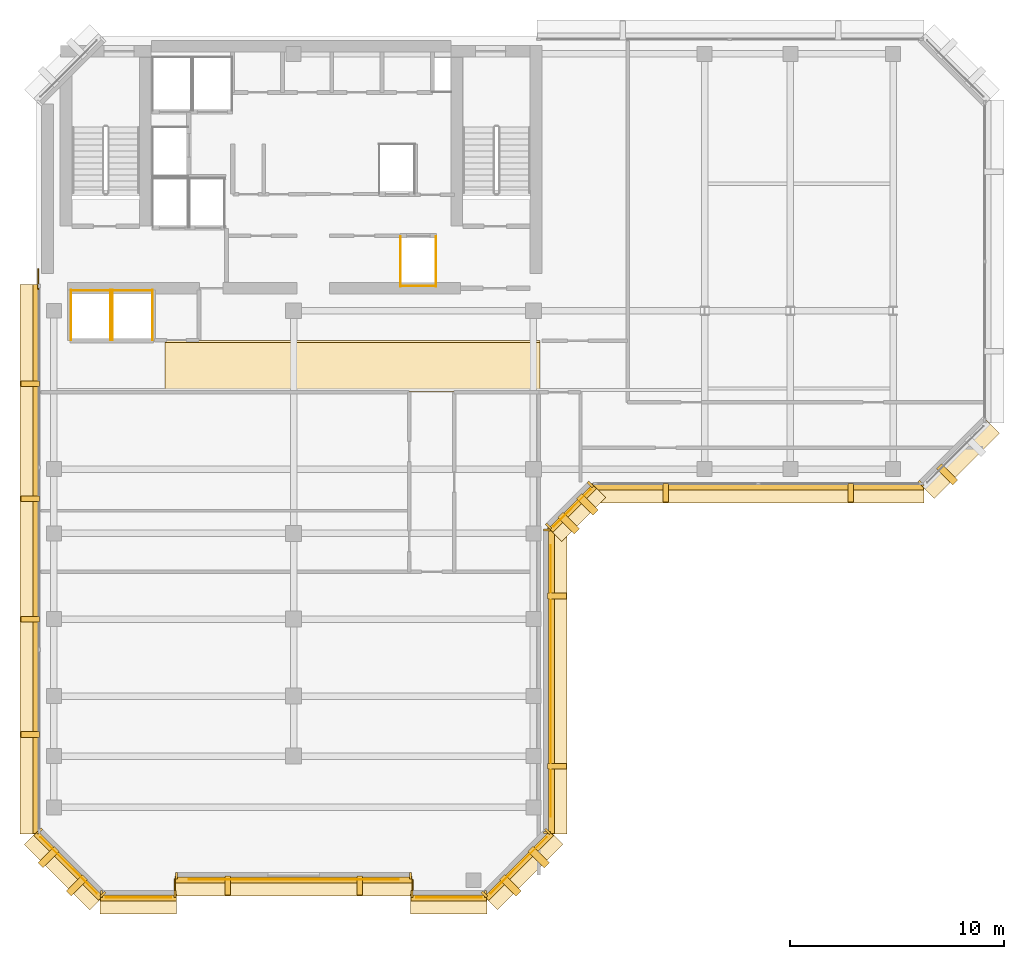
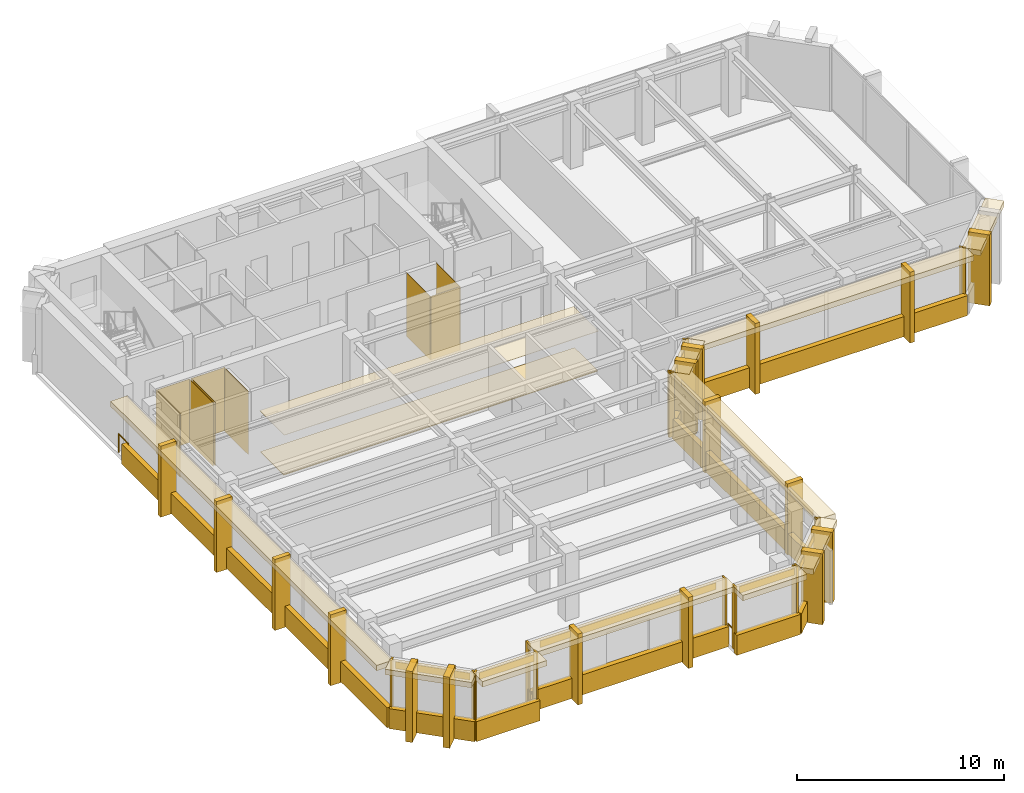
# One storey, part 9 of 12: 69 coverings, 3 railings.
"""IFC4 building model written with IfcOpenShell, lengths in metres."""

from ifc_helpers import new_model, si_unit, direction, frame, origin, origin_2d, place, context, subcontext, project, spatial, polyline, rectangle, circle, outline, extrude, material, layer, layer_set, type_object, element, save


model = new_model("IFC4")

# Units and contexts
model_context = context("Model", 3, precision=1e-05, world=origin(), true_north=direction((0.0, 1.0)))
body_context = subcontext(model_context, "Body", "Model", "MODEL_VIEW")
ifc_project = project(units=[si_unit("LENGTHUNIT", "METRE"), si_unit("AREAUNIT", "SQUARE_METRE"), si_unit("VOLUMEUNIT", "CUBIC_METRE"), si_unit("PLANEANGLEUNIT", "RADIAN"), si_unit("MASSUNIT", "GRAM", prefix="KILO")], contexts=[model_context])

# Site, building, storey
site_placement = place(None, origin())
site = spatial("IfcSite", under=ifc_project, at=site_placement, CompositionType="ELEMENT")
building_placement = place(site_placement, origin())
building = spatial("IfcBuilding", under=site, at=building_placement, Name="Kefirva Bronze Tower", CompositionType="ELEMENT")
storey_placement = place(building_placement, frame((0.0, 0.0, 327.68994140625)))
storey = spatial("IfcBuildingStorey", under=building, at=storey_placement, Name="L80", CompositionType="ELEMENT", Elevation=327.68994140625)

# Coverings
ifc_material_1 = material(Name="Acoustic mineral tile")
ifc_layer_1 = layer(ifc_material_1, 0.02490234375, Name="Acoustic mineral tile")
ifc_layer_set_1 = layer_set([ifc_layer_1], Name="Acoustic mineral tile")
covering_type_1 = type_object("IfcCoveringType", Name="Acoustic Mineral Suspended Ceiling 25mm", PredefinedType="CEILING", material=ifc_layer_set_1)
covering_1_placement = place(storey_placement, frame((0.0, 0.0, 2.400146484375)))
element("IfcCovering", 1, at=covering_1_placement, inside=storey, type_object=covering_type_1, Name="L80 Corridor Acoustic Ceiling", PredefinedType="CEILING", context=body_context, shape_type="SweptSolid", body=[
    extrude(outline(polyline([(6.0, 29.39990234375), (23.5, 29.39990234375), (23.5, 31.800048828125), (6.0, 31.800048828125), (6.0, 29.39990234375)])), origin(), (0.0, 0.0, 1.0), 0.02490234375),
])
ifc_material_2 = material(Name="Bronze anodised aluminium", Category="aluminium")
ifc_layer_2 = layer(ifc_material_2, 0.02001953125, Name="Bronze anodised aluminium")
ifc_layer_set_2 = layer_set([ifc_layer_2], Name="Bronze anodised aluminium")
covering_type_2 = type_object("IfcCoveringType", Name="Anodised Bronze Spandrel Cladding 20mm", PredefinedType="CLADDING", material=ifc_layer_set_2)
covering_2_placement = place(storey_placement, frame((4.75, 5.7900390625, 3.320068359375), z_axis=(0.0, 0.0, 1.0), x_axis=(1.0, 0.0, 0.0)))
element("IfcCovering", 2, at=covering_2_placement, inside=storey, type_object=covering_type_2, Name="L80 Bronze Spandrel Cladding 1", PredefinedType="CLADDING", context=body_context, shape_type="SweptSolid", body=[
    extrude(rectangle(XDim=3.051025390625, YDim=0.02001953125, at=origin_2d()), origin(), (0.0, 0.0, 1.0), 0.39990234375),
])
for number, where, z_axis, x_axis, name in (
    (3, (3.034912109375, 5.9599609375, 0.0), (0.0, 0.0, 1.0), (1.0, 0.0, 0.0), "L80 Facade Joint Closure Panel 1S"),
    (4, (6.465087890625, 5.9599609375, 0.0), (0.0, 0.0, 1.0), (1.0, 0.0, 0.0), "L80 Facade Joint Closure Panel 1E"),
):
    element("IfcCovering", number, at=place(storey_placement, frame(where, z_axis=z_axis, x_axis=x_axis)), inside=storey, type_object=covering_type_2, Name=name, PredefinedType="CLADDING", context=body_context, shape_type="SweptSolid", body=[
        extrude(rectangle(XDim=0.10009765625, YDim=0.320068359375, at=origin_2d()), origin(), (0.0, 0.0, 1.0), 3.739990234375),
    ])
covering_3_placement = place(storey_placement, frame((4.75, 5.760009765625, -0.15966796875), z_axis=(0.0, 0.0, 1.0), x_axis=(1.0, 0.0, 0.0)))
element("IfcCovering", 5, at=covering_3_placement, inside=storey, type_object=covering_type_2, Name="L80 Streamline Horizontal Spandrel Band 0", PredefinedType="CLADDING", context=body_context, shape_type="SweptSolid", body=[
    extrude(rectangle(XDim=3.5400390625, YDim=0.280029296875, at=origin_2d()), origin(), (0.0, 0.0, 1.0), 1.179931640625),
])
covering_4_placement = place(storey_placement, frame((12.0, 6.639892578125, 3.320068359375), z_axis=(0.0, 0.0, 1.0), x_axis=(1.0, 0.0, 0.0)))
element("IfcCovering", 6, at=covering_4_placement, inside=storey, type_object=covering_type_2, Name="L80 Bronze Spandrel Cladding 2", PredefinedType="CLADDING", context=body_context, shape_type="SweptSolid", body=[
    extrude(rectangle(XDim=9.801025390625, YDim=0.02001953125, at=origin_2d()), origin(), (0.0, 0.0, 1.0), 0.39990234375),
])
for number, where, z_axis, x_axis, name in (
    (7, (6.534912109375, 6.81005859375, 0.0), (0.0, 0.0, 1.0), (1.0, 0.0, 0.0), "L80 Facade Joint Closure Panel 2S"),
    (8, (17.465087890625, 6.81005859375, 0.0), (0.0, 0.0, 1.0), (1.0, 0.0, 0.0), "L80 Facade Joint Closure Panel 2E"),
):
    element("IfcCovering", number, at=place(storey_placement, frame(where, z_axis=z_axis, x_axis=x_axis)), inside=storey, type_object=covering_type_2, Name=name, PredefinedType="CLADDING", context=body_context, shape_type="SweptSolid", body=[
        extrude(rectangle(XDim=0.10009765625, YDim=0.320068359375, at=origin_2d()), origin(), (0.0, 0.0, 1.0), 3.739990234375),
    ])
covering_5_placement = place(storey_placement, frame((12.0, 6.610107421875, -0.15966796875), z_axis=(0.0, 0.0, 1.0), x_axis=(1.0, 0.0, 0.0)))
element("IfcCovering", 9, at=covering_5_placement, inside=storey, type_object=covering_type_2, Name="L80 Streamline Horizontal Spandrel Band 2", PredefinedType="CLADDING", context=body_context, shape_type="SweptSolid", body=[
    extrude(rectangle(XDim=11.0400390625, YDim=0.280029296875, at=origin_2d()), origin(), (0.0, 0.0, 1.0), 1.179931640625),
])
covering_6_placement = place(storey_placement, frame((19.25, 5.7900390625, 3.320068359375), z_axis=(0.0, 0.0, 1.0), x_axis=(1.0, 0.0, 0.0)))
element("IfcCovering", 10, at=covering_6_placement, inside=storey, type_object=covering_type_2, Name="L80 Bronze Spandrel Cladding 3", PredefinedType="CLADDING", context=body_context, shape_type="SweptSolid", body=[
    extrude(rectangle(XDim=3.051025390625, YDim=0.02001953125, at=origin_2d()), origin(), (0.0, 0.0, 1.0), 0.39990234375),
])
for number, where, z_axis, x_axis, name in (
    (11, (17.534912109375, 5.9599609375, 0.0), (0.0, 0.0, 1.0), (1.0, 0.0, 0.0), "L80 Facade Joint Closure Panel 3S"),
    (12, (20.965087890625, 5.9599609375, 0.0), (0.0, 0.0, 1.0), (1.0, 0.0, 0.0), "L80 Facade Joint Closure Panel 3E"),
):
    element("IfcCovering", number, at=place(storey_placement, frame(where, z_axis=z_axis, x_axis=x_axis)), inside=storey, type_object=covering_type_2, Name=name, PredefinedType="CLADDING", context=body_context, shape_type="SweptSolid", body=[
        extrude(rectangle(XDim=0.10009765625, YDim=0.320068359375, at=origin_2d()), origin(), (0.0, 0.0, 1.0), 3.739990234375),
    ])
covering_7_placement = place(storey_placement, frame((19.25, 5.760009765625, -0.15966796875), z_axis=(0.0, 0.0, 1.0), x_axis=(1.0, 0.0, 0.0)))
element("IfcCovering", 13, at=covering_7_placement, inside=storey, type_object=covering_type_2, Name="L80 Streamline Horizontal Spandrel Band 4", PredefinedType="CLADDING", context=body_context, shape_type="SweptSolid", body=[
    extrude(rectangle(XDim=3.5400390625, YDim=0.280029296875, at=origin_2d()), origin(), (0.0, 0.0, 1.0), 1.179931640625),
])
covering_8_placement = place(storey_placement, frame((22.507080078125, 7.29296875, 3.320068359375), z_axis=(0.0, 0.0, 1.0), x_axis=(0.707106781187, 0.707106781187, 0.0)))
element("IfcCovering", 14, at=covering_8_placement, inside=storey, type_object=covering_type_2, Name="L80 Bronze Spandrel Cladding 4", PredefinedType="CLADDING", context=body_context, shape_type="SweptSolid", body=[
    extrude(rectangle(XDim=3.719482421875, YDim=0.02001953125, at=origin_2d()), origin(), (0.0, 0.0, 1.0), 0.39990234375),
])
for number, where, z_axis, x_axis, name in (
    (15, (20.91162109375, 5.93798828125, 0.0), (0.0, 0.0, 1.0), (0.707106781187, 0.707106781187, 0.0), "L80 Facade Joint Closure Panel 4S"),
    (16, (23.862060546875, 8.88818359375, 0.0), (0.0, 0.0, 1.0), (0.707106781187, 0.707106781187, 0.0), "L80 Facade Joint Closure Panel 4E"),
):
    element("IfcCovering", number, at=place(storey_placement, frame(where, z_axis=z_axis, x_axis=x_axis)), inside=storey, type_object=covering_type_2, Name=name, PredefinedType="CLADDING", context=body_context, shape_type="SweptSolid", body=[
        extrude(rectangle(XDim=0.10009765625, YDim=0.320068359375, at=origin_2d()), origin(), (0.0, 0.0, 1.0), 3.739990234375),
    ])
covering_9_placement = place(storey_placement, frame((22.5283203125, 7.271728515625, -0.15966796875), z_axis=(0.0, 0.0, 1.0), x_axis=(0.707106781187, 0.707106781187, 0.0)))
element("IfcCovering", 17, at=covering_9_placement, inside=storey, type_object=covering_type_2, Name="L80 Streamline Horizontal Spandrel Band 5", PredefinedType="CLADDING", context=body_context, shape_type="SweptSolid", body=[
    extrude(rectangle(XDim=4.28271484375, YDim=0.280029296875, at=origin_2d()), origin(), (0.0, 0.0, 1.0), 1.179931640625),
])
covering_10_placement = place(storey_placement, frame((24.010009765625, 15.89990234375, 3.320068359375), z_axis=(0.0, 0.0, 1.0), x_axis=(0.0, 1.0, 0.0)))
element("IfcCovering", 18, at=covering_10_placement, inside=storey, type_object=covering_type_2, Name="L80 Bronze Spandrel Cladding 5", PredefinedType="CLADDING", context=body_context, shape_type="SweptSolid", body=[
    extrude(rectangle(XDim=12.680908203125, YDim=0.02001953125, at=origin_2d()), origin(), (0.0, 0.0, 1.0), 0.39990234375),
])
for number, where, z_axis, x_axis, name in (
    (19, (23.840087890625, 8.8349609375, 0.0), (0.0, 0.0, 1.0), (0.0, 1.0, 0.0), "L80 Facade Joint Closure Panel 5S"),
    (20, (23.840087890625, 22.965087890625, 0.0), (0.0, 0.0, 1.0), (0.0, 1.0, 0.0), "L80 Facade Joint Closure Panel 5E"),
):
    element("IfcCovering", number, at=place(storey_placement, frame(where, z_axis=z_axis, x_axis=x_axis)), inside=storey, type_object=covering_type_2, Name=name, PredefinedType="CLADDING", context=body_context, shape_type="SweptSolid", body=[
        extrude(rectangle(XDim=0.10009765625, YDim=0.320068359375, at=origin_2d()), origin(), (0.0, 0.0, 1.0), 3.739990234375),
    ])
covering_11_placement = place(storey_placement, frame((24.0400390625, 15.89990234375, -0.15966796875), z_axis=(0.0, 0.0, 1.0), x_axis=(0.0, 1.0, 0.0)))
element("IfcCovering", 21, at=covering_11_placement, inside=storey, type_object=covering_type_2, Name="L80 Streamline Horizontal Spandrel Band 6", PredefinedType="CLADDING", context=body_context, shape_type="SweptSolid", body=[
    extrude(rectangle(XDim=14.239990234375, YDim=0.280029296875, at=origin_2d()), origin(), (0.0, 0.0, 1.0), 1.179931640625),
])
covering_12_placement = place(storey_placement, frame((25.007080078125, 23.992919921875, 3.320068359375), z_axis=(0.0, 0.0, 1.0), x_axis=(0.707106781187, 0.707106781187, 0.0)))
element("IfcCovering", 22, at=covering_12_placement, inside=storey, type_object=covering_type_2, Name="L80 Bronze Spandrel Cladding 6", PredefinedType="CLADDING", context=body_context, shape_type="SweptSolid", body=[
    extrude(rectangle(XDim=2.446533203125, YDim=0.02001953125, at=origin_2d()), origin(), (0.0, 0.0, 1.0), 0.39990234375),
])
for number, where, z_axis, x_axis, name in (
    (23, (23.91162109375, 23.137939453125, 0.0), (0.0, 0.0, 1.0), (0.707106781187, 0.707106781187, 0.0), "L80 Facade Joint Closure Panel 6S"),
    (24, (25.862060546875, 25.08837890625, 0.0), (0.0, 0.0, 1.0), (0.707106781187, 0.707106781187, 0.0), "L80 Facade Joint Closure Panel 6E"),
):
    element("IfcCovering", number, at=place(storey_placement, frame(where, z_axis=z_axis, x_axis=x_axis)), inside=storey, type_object=covering_type_2, Name=name, PredefinedType="CLADDING", context=body_context, shape_type="SweptSolid", body=[
        extrude(rectangle(XDim=0.10009765625, YDim=0.320068359375, at=origin_2d()), origin(), (0.0, 0.0, 1.0), 3.739990234375),
    ])
covering_13_placement = place(storey_placement, frame((25.0283203125, 23.9716796875, -0.15966796875), z_axis=(0.0, 0.0, 1.0), x_axis=(0.707106781187, 0.707106781187, 0.0)))
element("IfcCovering", 25, at=covering_13_placement, inside=storey, type_object=covering_type_2, Name="L80 Streamline Horizontal Spandrel Band 7", PredefinedType="CLADDING", context=body_context, shape_type="SweptSolid", body=[
    extrude(rectangle(XDim=2.868408203125, YDim=0.280029296875, at=origin_2d()), origin(), (0.0, 0.0, 1.0), 1.179931640625),
])
covering_14_placement = place(storey_placement, frame((33.699951171875, 24.9599609375, -0.15966796875), z_axis=(0.0, 0.0, 1.0), x_axis=(1.0, 0.0, 0.0)))
element("IfcCovering", 26, at=covering_14_placement, inside=storey, type_object=covering_type_2, Name="L80 Streamline Horizontal Spandrel Band 8", PredefinedType="CLADDING", context=body_context, shape_type="SweptSolid", body=[
    extrude(rectangle(XDim=15.43994140625, YDim=0.280029296875, at=origin_2d()), origin(), (0.0, 0.0, 1.0), 1.179931640625),
])
covering_15_placement = place(storey_placement, frame((41.311767578125, 25.137939453125, 0.0), z_axis=(0.0, 0.0, 1.0), x_axis=(0.707106781187, 0.707106781187, 0.0)))
element("IfcCovering", 27, at=covering_15_placement, inside=storey, type_object=covering_type_2, Name="L80 Facade Joint Closure Panel 7S", PredefinedType="CLADDING", context=body_context, shape_type="SweptSolid", body=[
    extrude(rectangle(XDim=0.10009765625, YDim=0.320068359375, at=origin_2d()), origin(), (0.0, 0.0, 1.0), 3.739990234375),
])
covering_16_placement = place(storey_placement, frame((-0.0400390625, 21.597412109375, -0.15966796875), z_axis=(0.0, 0.0, 1.0), x_axis=(0.0, -1.0, 0.0)))
element("IfcCovering", 28, at=covering_16_placement, inside=storey, type_object=covering_type_2, Name="L80 Streamline Horizontal Spandrel Band 14", PredefinedType="CLADDING", context=body_context, shape_type="SweptSolid", body=[
    extrude(rectangle(XDim=25.635009765625, YDim=0.280029296875, at=origin_2d()), origin(), (0.0, 0.0, 1.0), 1.179931640625),
])
covering_17_placement = place(storey_placement, frame((1.492919921875, 7.29296875, 3.320068359375), z_axis=(0.0, 0.0, 1.0), x_axis=(0.707106781187, -0.707106781187, 0.0)))
element("IfcCovering", 29, at=covering_17_placement, inside=storey, type_object=covering_type_2, Name="L80 Bronze Spandrel Cladding 10", PredefinedType="CLADDING", context=body_context, shape_type="SweptSolid", body=[
    extrude(rectangle(XDim=3.719482421875, YDim=0.02001953125, at=origin_2d()), origin(), (0.0, 0.0, 1.0), 0.39990234375),
])
for number, where, z_axis, x_axis, name in (
    (30, (0.137939453125, 8.88818359375, 0.0), (0.0, 0.0, 1.0), (0.707106781187, -0.707106781187, 0.0), "L80 Facade Joint Closure Panel 10S"),
    (31, (3.08837890625, 5.93798828125, 0.0), (0.0, 0.0, 1.0), (0.707106781187, -0.707106781187, 0.0), "L80 Facade Joint Closure Panel 10E"),
):
    element("IfcCovering", number, at=place(storey_placement, frame(where, z_axis=z_axis, x_axis=x_axis)), inside=storey, type_object=covering_type_2, Name=name, PredefinedType="CLADDING", context=body_context, shape_type="SweptSolid", body=[
        extrude(rectangle(XDim=0.10009765625, YDim=0.320068359375, at=origin_2d()), origin(), (0.0, 0.0, 1.0), 3.739990234375),
    ])
covering_18_placement = place(storey_placement, frame((1.4716796875, 7.271728515625, -0.15966796875), z_axis=(0.0, 0.0, 1.0), x_axis=(0.707106781187, -0.707106781187, 0.0)))
element("IfcCovering", 32, at=covering_18_placement, inside=storey, type_object=covering_type_2, Name="L80 Streamline Horizontal Spandrel Band 15", PredefinedType="CLADDING", context=body_context, shape_type="SweptSolid", body=[
    extrude(rectangle(XDim=4.28271484375, YDim=0.280029296875, at=origin_2d()), origin(), (0.0, 0.0, 1.0), 1.179931640625),
])
covering_19_placement = place(storey_placement, origin())
element("IfcCovering", 33, at=covering_19_placement, inside=storey, type_object=covering_type_2, Name="L80 Lift OB1 Hoistway Liner N", PredefinedType="CLADDING", context=body_context, shape_type="SweptSolid", body=[
    extrude(outline(polyline([(1.580078125, 34.139892578125), (3.469970703125, 34.139892578125), (3.469970703125, 34.159912109375), (1.580078125, 34.159912109375), (1.580078125, 34.139892578125)])), origin(), (0.0, 0.0, 1.0), 3.739990234375),
])
covering_20_placement = place(storey_placement, origin())
element("IfcCovering", 34, at=covering_20_placement, inside=storey, type_object=covering_type_2, Name="L80 Lift OB1 Hoistway Liner W", PredefinedType="CLADDING", context=body_context, shape_type="SweptSolid", body=[
    extrude(outline(polyline([(1.590087890625, 31.830078125), (1.610107421875, 31.830078125), (1.610107421875, 34.169921875), (1.590087890625, 34.169921875), (1.590087890625, 31.830078125)])), origin(), (0.0, 0.0, 1.0), 3.739990234375),
])
covering_21_placement = place(storey_placement, origin())
element("IfcCovering", 35, at=covering_21_placement, inside=storey, type_object=covering_type_2, Name="L80 Lift OB1 Hoistway Liner E", PredefinedType="CLADDING", context=body_context, shape_type="SweptSolid", body=[
    extrude(outline(polyline([(3.43994140625, 31.830078125), (3.4599609375, 31.830078125), (3.4599609375, 34.169921875), (3.43994140625, 34.169921875), (3.43994140625, 31.830078125)])), origin(), (0.0, 0.0, 1.0), 3.739990234375),
])
covering_22_placement = place(storey_placement, origin())
element("IfcCovering", 36, at=covering_22_placement, inside=storey, type_object=covering_type_2, Name="L80 Lift OB2 Hoistway Liner N", PredefinedType="CLADDING", context=body_context, shape_type="SweptSolid", body=[
    extrude(outline(polyline([(3.530029296875, 34.139892578125), (5.419921875, 34.139892578125), (5.419921875, 34.159912109375), (3.530029296875, 34.159912109375), (3.530029296875, 34.139892578125)])), origin(), (0.0, 0.0, 1.0), 3.739990234375),
])
covering_23_placement = place(storey_placement, origin())
element("IfcCovering", 37, at=covering_23_placement, inside=storey, type_object=covering_type_2, Name="L80 Lift OB2 Hoistway Liner W", PredefinedType="CLADDING", context=body_context, shape_type="SweptSolid", body=[
    extrude(outline(polyline([(3.5400390625, 31.830078125), (3.56005859375, 31.830078125), (3.56005859375, 34.169921875), (3.5400390625, 34.169921875), (3.5400390625, 31.830078125)])), origin(), (0.0, 0.0, 1.0), 3.739990234375),
])
covering_24_placement = place(storey_placement, origin())
element("IfcCovering", 38, at=covering_24_placement, inside=storey, type_object=covering_type_2, Name="L80 Lift OB2 Hoistway Liner E", PredefinedType="CLADDING", context=body_context, shape_type="SweptSolid", body=[
    extrude(outline(polyline([(5.389892578125, 31.830078125), (5.409912109375, 31.830078125), (5.409912109375, 34.169921875), (5.389892578125, 34.169921875), (5.389892578125, 31.830078125)])), origin(), (0.0, 0.0, 1.0), 3.739990234375),
])
covering_25_placement = place(storey_placement, origin())
element("IfcCovering", 39, at=covering_25_placement, inside=storey, type_object=covering_type_2, Name="L80 Lift HP1 Hoistway Liner S", PredefinedType="CLADDING", context=body_context, shape_type="SweptSolid", body=[
    extrude(outline(polyline([(16.97998046875, 34.340087890625), (18.669921875, 34.340087890625), (18.669921875, 34.360107421875), (16.97998046875, 34.360107421875), (16.97998046875, 34.340087890625)])), origin(), (0.0, 0.0, 1.0), 3.739990234375),
])
covering_26_placement = place(storey_placement, origin())
element("IfcCovering", 40, at=covering_26_placement, inside=storey, type_object=covering_type_2, Name="L80 Lift HP1 Hoistway Liner W", PredefinedType="CLADDING", context=body_context, shape_type="SweptSolid", body=[
    extrude(outline(polyline([(16.989990234375, 34.330078125), (17.010009765625, 34.330078125), (17.010009765625, 36.669921875), (16.989990234375, 36.669921875), (16.989990234375, 34.330078125)])), origin(), (0.0, 0.0, 1.0), 3.739990234375),
])
covering_27_placement = place(storey_placement, origin())
element("IfcCovering", 41, at=covering_27_placement, inside=storey, type_object=covering_type_2, Name="L80 Lift HP1 Hoistway Liner E", PredefinedType="CLADDING", context=body_context, shape_type="SweptSolid", body=[
    extrude(outline(polyline([(18.639892578125, 34.330078125), (18.659912109375, 34.330078125), (18.659912109375, 36.669921875), (18.639892578125, 36.669921875), (18.639892578125, 34.330078125)])), origin(), (0.0, 0.0, 1.0), 3.739990234375),
])

# Railings
ifc_material_3 = material(Name="Stainless steel 316", Category="steel")
railing_type = type_object("IfcRailingType", Name="Interior Stair Guardrail 1100mm", PredefinedType="GUARDRAIL", material=ifc_material_3)
railing_1_placement = place(storey_placement, frame((0.080078125, 34.199951171875, 0.0)))
element("IfcRailing", 42, at=railing_1_placement, inside=storey, type_object=railing_type, Name="L80 West Core Junction Guardrail", PredefinedType="GUARDRAIL", context=body_context, shape_type="SweptSolid", body=[
    extrude(circle(Radius=0.02392578125, at=origin_2d()), frame((0.0, 0.0, 1.076171875), z_axis=(0.0, 1.0, 0.0), x_axis=(-1.0, 0.0, 0.0)), (0.0, 0.0, 1.0), 0.949951171875),
    extrude(circle(Radius=0.02099609375, at=origin_2d()), origin(), (0.0, 0.0, 1.0), 1.052001953125),
    extrude(circle(Radius=0.02099609375, at=origin_2d()), frame((0.0, 0.949951171875, 0.0)), (0.0, 0.0, 1.0), 1.052001953125),
])
railing_2_placement = place(storey_placement, frame((17.56005859375, 6.14990234375, 0.0)))
element("IfcRailing", 43, at=railing_2_placement, inside=storey, type_object=railing_type, Name="L80 Setback Corner Guardrail SB1", PredefinedType="GUARDRAIL", context=body_context, shape_type="SweptSolid", body=[
    extrude(circle(Radius=0.02392578125, at=origin_2d()), frame((0.0, 0.0, 1.076171875), z_axis=(0.0, 1.0, 0.0), x_axis=(-1.0, 0.0, 0.0)), (0.0, 0.0, 1.0), 0.47021484375),
    extrude(circle(Radius=0.02099609375, at=origin_2d()), origin(), (0.0, 0.0, 1.0), 1.052001953125),
    extrude(circle(Radius=0.02099609375, at=origin_2d()), frame((0.0, 0.47021484375, 0.0)), (0.0, 0.0, 1.0), 1.052001953125),
])
railing_3_placement = place(storey_placement, frame((6.43994140625, 6.14990234375, 0.0)))
element("IfcRailing", 44, at=railing_3_placement, inside=storey, type_object=railing_type, Name="L80 Setback Corner Guardrail SB2", PredefinedType="GUARDRAIL", context=body_context, shape_type="SweptSolid", body=[
    extrude(circle(Radius=0.02392578125, at=origin_2d()), frame((0.0, 0.0, 1.076171875), z_axis=(0.0, 1.0, 0.0), x_axis=(-1.0, 0.0, 0.0)), (0.0, 0.0, 1.0), 0.489990234375),
    extrude(circle(Radius=0.02099609375, at=origin_2d()), origin(), (0.0, 0.0, 1.0), 1.052001953125),
    extrude(circle(Radius=0.02099609375, at=origin_2d()), frame((0.0, 0.489990234375, 0.0)), (0.0, 0.0, 1.0), 1.052001953125),
])

# Coverings
ifc_material_4 = material(Name="Calcium sulphate access tile")
ifc_layer_3 = layer(ifc_material_4, 0.044921875, Name="Calcium sulphate access tile")
ifc_layer_set_3 = layer_set([ifc_layer_3], Name="Calcium sulphate access tile")
covering_type_3 = type_object("IfcCoveringType", Name="Raised Access Office Flooring 45mm", PredefinedType="FLOORING", material=ifc_layer_set_3)
covering_28_placement = place(storey_placement, origin())
element("IfcCovering", 45, at=covering_28_placement, inside=storey, type_object=covering_type_3, Name="L80 Architectural Finish Flooring", PredefinedType="FLOORING", context=body_context, shape_type="SweptSolid", body=[
    extrude(outline(polyline([(6.0, 29.47998046875), (23.5, 29.47998046875), (23.5, 31.719970703125), (6.0, 31.719970703125), (6.0, 29.47998046875)])), origin(), (0.0, 0.0, 1.0), 0.045166015625),
])
ifc_layer_4 = layer(ifc_material_2, 0.179931640625, Name="Bronze anodised aluminium")
ifc_layer_set_4 = layer_set([ifc_layer_4], Name="Bronze anodised aluminium")
covering_type_4 = type_object("IfcCoveringType", Name="Streamline Bronze Sunshade Eyebrow Cladding 180mm", PredefinedType="CLADDING", material=ifc_layer_set_4)
covering_29_placement = place(storey_placement, frame((4.75, 5.489990234375, 3.419921875), z_axis=(0.0, 0.0, 1.0), x_axis=(1.0, 0.0, 0.0)))
element("IfcCovering", 46, at=covering_29_placement, inside=storey, type_object=covering_type_4, Name="L80 Streamline Bronze Sunshade Eyebrow 0", PredefinedType="CLADDING", context=body_context, shape_type="SweptSolid", body=[
    extrude(rectangle(XDim=3.580078125, YDim=0.93994140625, at=origin_2d()), origin(), (0.0, 0.0, 1.0), 0.320068359375),
])
covering_30_placement = place(storey_placement, frame((12.0, 6.340087890625, 3.419921875), z_axis=(0.0, 0.0, 1.0), x_axis=(1.0, 0.0, 0.0)))
element("IfcCovering", 47, at=covering_30_placement, inside=storey, type_object=covering_type_4, Name="L80 Streamline Bronze Sunshade Eyebrow 2", PredefinedType="CLADDING", context=body_context, shape_type="SweptSolid", body=[
    extrude(rectangle(XDim=11.080078125, YDim=0.93994140625, at=origin_2d()), origin(), (0.0, 0.0, 1.0), 0.320068359375),
])
covering_31_placement = place(storey_placement, frame((19.25, 5.489990234375, 3.419921875), z_axis=(0.0, 0.0, 1.0), x_axis=(1.0, 0.0, 0.0)))
element("IfcCovering", 48, at=covering_31_placement, inside=storey, type_object=covering_type_4, Name="L80 Streamline Bronze Sunshade Eyebrow 4", PredefinedType="CLADDING", context=body_context, shape_type="SweptSolid", body=[
    extrude(rectangle(XDim=3.580078125, YDim=0.93994140625, at=origin_2d()), origin(), (0.0, 0.0, 1.0), 0.320068359375),
])
covering_32_placement = place(storey_placement, frame((22.71923828125, 7.080810546875, 3.419921875), z_axis=(0.0, 0.0, 1.0), x_axis=(0.707106781187, 0.707106781187, 0.0)))
element("IfcCovering", 49, at=covering_32_placement, inside=storey, type_object=covering_type_4, Name="L80 Streamline Bronze Sunshade Eyebrow 5", PredefinedType="CLADDING", context=body_context, shape_type="SweptSolid", body=[
    extrude(rectangle(XDim=4.322509765625, YDim=0.93994140625, at=origin_2d()), origin(), (0.0, 0.0, 1.0), 0.320068359375),
])
covering_33_placement = place(storey_placement, frame((24.31005859375, 15.89990234375, 3.419921875), z_axis=(0.0, 0.0, 1.0), x_axis=(0.0, 1.0, 0.0)))
element("IfcCovering", 50, at=covering_33_placement, inside=storey, type_object=covering_type_4, Name="L80 Streamline Bronze Sunshade Eyebrow 6", PredefinedType="CLADDING", context=body_context, shape_type="SweptSolid", body=[
    extrude(rectangle(XDim=14.280029296875, YDim=0.93994140625, at=origin_2d()), origin(), (0.0, 0.0, 1.0), 0.320068359375),
])
covering_34_placement = place(storey_placement, frame((25.21923828125, 23.78076171875, 3.419921875), z_axis=(0.0, 0.0, 1.0), x_axis=(0.707106781187, 0.707106781187, 0.0)))
element("IfcCovering", 51, at=covering_34_placement, inside=storey, type_object=covering_type_4, Name="L80 Streamline Bronze Sunshade Eyebrow 7", PredefinedType="CLADDING", context=body_context, shape_type="SweptSolid", body=[
    extrude(rectangle(XDim=2.908447265625, YDim=0.93994140625, at=origin_2d()), origin(), (0.0, 0.0, 1.0), 0.320068359375),
])
covering_35_placement = place(storey_placement, frame((33.699951171875, 24.68994140625, 3.419921875), z_axis=(0.0, 0.0, 1.0), x_axis=(1.0, 0.0, 0.0)))
element("IfcCovering", 52, at=covering_35_placement, inside=storey, type_object=covering_type_4, Name="L80 Streamline Bronze Sunshade Eyebrow 8", PredefinedType="CLADDING", context=body_context, shape_type="SweptSolid", body=[
    extrude(rectangle(XDim=15.47998046875, YDim=0.93994140625, at=origin_2d()), origin(), (0.0, 0.0, 1.0), 0.320068359375),
])
covering_36_placement = place(storey_placement, frame((43.119140625, 26.28076171875, 3.419921875), z_axis=(0.0, 0.0, 1.0), x_axis=(0.707106781187, 0.707106781187, 0.0)))
element("IfcCovering", 53, at=covering_36_placement, inside=storey, type_object=covering_type_4, Name="L80 Streamline Bronze Sunshade Eyebrow 9", PredefinedType="CLADDING", context=body_context, shape_type="SweptSolid", body=[
    extrude(rectangle(XDim=4.322509765625, YDim=0.93994140625, at=origin_2d()), origin(), (0.0, 0.0, 1.0), 0.320068359375),
])
covering_37_placement = place(storey_placement, frame((-0.31005859375, 21.597412109375, 3.419921875), z_axis=(0.0, 0.0, 1.0), x_axis=(0.0, -1.0, 0.0)))
element("IfcCovering", 54, at=covering_37_placement, inside=storey, type_object=covering_type_4, Name="L80 Streamline Bronze Sunshade Eyebrow 14", PredefinedType="CLADDING", context=body_context, shape_type="SweptSolid", body=[
    extrude(rectangle(XDim=25.675048828125, YDim=0.93994140625, at=origin_2d()), origin(), (0.0, 0.0, 1.0), 0.320068359375),
])
covering_38_placement = place(storey_placement, frame((1.28076171875, 7.080810546875, 3.419921875), z_axis=(0.0, 0.0, 1.0), x_axis=(0.707106781187, -0.707106781187, 0.0)))
element("IfcCovering", 55, at=covering_38_placement, inside=storey, type_object=covering_type_4, Name="L80 Streamline Bronze Sunshade Eyebrow 15", PredefinedType="CLADDING", context=body_context, shape_type="SweptSolid", body=[
    extrude(rectangle(XDim=4.322509765625, YDim=0.93994140625, at=origin_2d()), origin(), (0.0, 0.0, 1.0), 0.320068359375),
])
ifc_layer_5 = layer(ifc_material_2, 0.260009765625, Name="Bronze anodised aluminium")
ifc_layer_set_5 = layer_set([ifc_layer_5], Name="Bronze anodised aluminium")
covering_type_5 = type_object("IfcCoveringType", Name="Unbroken Bronze Buttress Fin Cladding 260mm", PredefinedType="CLADDING", material=ifc_layer_set_5)
for number, where, z_axis, x_axis, name in (
    (56, (8.919921875, 6.35009765625, -0.2197265625), (0.0, 0.0, 1.0), (1.0, 0.0, 0.0), "L80 Unbroken Vertical Bronze Rib Fin 1"),
    (57, (15.080078125, 6.35009765625, -0.2197265625), (0.0, 0.0, 1.0), (1.0, 0.0, 0.0), "L80 Unbroken Vertical Bronze Rib Fin 2"),
):
    element("IfcCovering", number, at=place(storey_placement, frame(where, z_axis=z_axis, x_axis=x_axis)), inside=storey, type_object=covering_type_5, Name=name, PredefinedType="CLADDING", context=body_context, shape_type="SweptSolid", body=[
        extrude(rectangle(XDim=0.260009765625, YDim=0.8798828125, at=origin_2d()), origin(), (0.0, 0.0, 1.0), 4.179931640625),
    ])
for number, where, z_axis, x_axis, name in (
    (58, (22.122802734375, 6.357177734375, -0.2197265625), (0.0, 0.0, 1.0), (0.707106781187, 0.707106781187, 0.0), "L80 Chamfered Corner Buttress Fin Cladding 3"),
    (59, (23.44287109375, 7.67724609375, -0.2197265625), (0.0, 0.0, 1.0), (0.707106781187, 0.707106781187, 0.0), "L80 Chamfered Corner Buttress Fin Cladding 4"),
):
    element("IfcCovering", number, at=place(storey_placement, frame(where, z_axis=z_axis, x_axis=x_axis)), inside=storey, type_object=covering_type_5, Name=name, PredefinedType="CLADDING", context=body_context, shape_type="SweptSolid", body=[
        extrude(rectangle(XDim=0.340087890625, YDim=1.080078125, at=origin_2d()), origin(), (0.0, 0.0, 1.0), 4.179931640625),
    ])
for number, where, z_axis, x_axis, name in (
    (60, (24.300048828125, 11.924072265625, -0.2197265625), (0.0, 0.0, 1.0), (0.0, 1.0, 0.0), "L80 Unbroken Vertical Bronze Rib Fin 5"),
    (61, (24.300048828125, 19.8759765625, -0.2197265625), (0.0, 0.0, 1.0), (0.0, 1.0, 0.0), "L80 Unbroken Vertical Bronze Rib Fin 6"),
):
    element("IfcCovering", number, at=place(storey_placement, frame(where, z_axis=z_axis, x_axis=x_axis)), inside=storey, type_object=covering_type_5, Name=name, PredefinedType="CLADDING", context=body_context, shape_type="SweptSolid", body=[
        extrude(rectangle(XDim=0.260009765625, YDim=0.8798828125, at=origin_2d()), origin(), (0.0, 0.0, 1.0), 4.179931640625),
    ])
for number, where, z_axis, x_axis, name in (
    (62, (24.8427734375, 23.277099609375, -0.2197265625), (0.0, 0.0, 1.0), (0.707106781187, 0.707106781187, 0.0), "L80 Chamfered Corner Buttress Fin Cladding 7"),
    (63, (25.722900390625, 24.1572265625, -0.2197265625), (0.0, 0.0, 1.0), (0.707106781187, 0.707106781187, 0.0), "L80 Chamfered Corner Buttress Fin Cladding 8"),
):
    element("IfcCovering", number, at=place(storey_placement, frame(where, z_axis=z_axis, x_axis=x_axis)), inside=storey, type_object=covering_type_5, Name=name, PredefinedType="CLADDING", context=body_context, shape_type="SweptSolid", body=[
        extrude(rectangle(XDim=0.340087890625, YDim=1.080078125, at=origin_2d()), origin(), (0.0, 0.0, 1.0), 4.179931640625),
    ])
for number, where, z_axis, x_axis, name in (
    (64, (29.387939453125, 24.699951171875, -0.2197265625), (0.0, 0.0, 1.0), (1.0, 0.0, 0.0), "L80 Unbroken Vertical Bronze Rib Fin 9"),
    (65, (38.011962890625, 24.699951171875, -0.2197265625), (0.0, 0.0, 1.0), (1.0, 0.0, 0.0), "L80 Unbroken Vertical Bronze Rib Fin 10"),
):
    element("IfcCovering", number, at=place(storey_placement, frame(where, z_axis=z_axis, x_axis=x_axis)), inside=storey, type_object=covering_type_5, Name=name, PredefinedType="CLADDING", context=body_context, shape_type="SweptSolid", body=[
        extrude(rectangle(XDim=0.260009765625, YDim=0.8798828125, at=origin_2d()), origin(), (0.0, 0.0, 1.0), 4.179931640625),
    ])
covering_39_placement = place(storey_placement, frame((42.522705078125, 25.55712890625, -0.2197265625), z_axis=(0.0, 0.0, 1.0), x_axis=(0.707106781187, 0.707106781187, 0.0)))
element("IfcCovering", 66, at=covering_39_placement, inside=storey, type_object=covering_type_5, Name="L80 Chamfered Corner Buttress Fin Cladding 11", PredefinedType="CLADDING", context=body_context, shape_type="SweptSolid", body=[
    extrude(rectangle(XDim=0.340087890625, YDim=1.080078125, at=origin_2d()), origin(), (0.0, 0.0, 1.0), 4.179931640625),
])
for number, where, z_axis, x_axis, name in (
    (67, (-0.300048828125, 29.787841796875, -0.2197265625), (0.0, 0.0, 1.0), (0.0, -1.0, 0.0), "L80 Unbroken Vertical Bronze Rib Fin 21"),
    (68, (-0.300048828125, 24.4130859375, -0.2197265625), (0.0, 0.0, 1.0), (0.0, -1.0, 0.0), "L80 Unbroken Vertical Bronze Rib Fin 22"),
    (69, (-0.300048828125, 18.781982421875, -0.2197265625), (0.0, 0.0, 1.0), (0.0, -1.0, 0.0), "L80 Unbroken Vertical Bronze Rib Fin 23"),
    (70, (-0.300048828125, 13.406982421875, -0.2197265625), (0.0, 0.0, 1.0), (0.0, -1.0, 0.0), "L80 Unbroken Vertical Bronze Rib Fin 24"),
):
    element("IfcCovering", number, at=place(storey_placement, frame(where, z_axis=z_axis, x_axis=x_axis)), inside=storey, type_object=covering_type_5, Name=name, PredefinedType="CLADDING", context=body_context, shape_type="SweptSolid", body=[
        extrude(rectangle(XDim=0.260009765625, YDim=0.8798828125, at=origin_2d()), origin(), (0.0, 0.0, 1.0), 4.179931640625),
    ])
for number, where, z_axis, x_axis, name in (
    (71, (0.55712890625, 7.67724609375, -0.2197265625), (0.0, 0.0, 1.0), (0.707106781187, -0.707106781187, 0.0), "L80 Chamfered Corner Buttress Fin Cladding 25"),
    (72, (1.877197265625, 6.357177734375, -0.2197265625), (0.0, 0.0, 1.0), (0.707106781187, -0.707106781187, 0.0), "L80 Chamfered Corner Buttress Fin Cladding 26"),
):
    element("IfcCovering", number, at=place(storey_placement, frame(where, z_axis=z_axis, x_axis=x_axis)), inside=storey, type_object=covering_type_5, Name=name, PredefinedType="CLADDING", context=body_context, shape_type="SweptSolid", body=[
        extrude(rectangle(XDim=0.340087890625, YDim=1.080078125, at=origin_2d()), origin(), (0.0, 0.0, 1.0), 4.179931640625),
    ])

save(model, "model.ifc")
